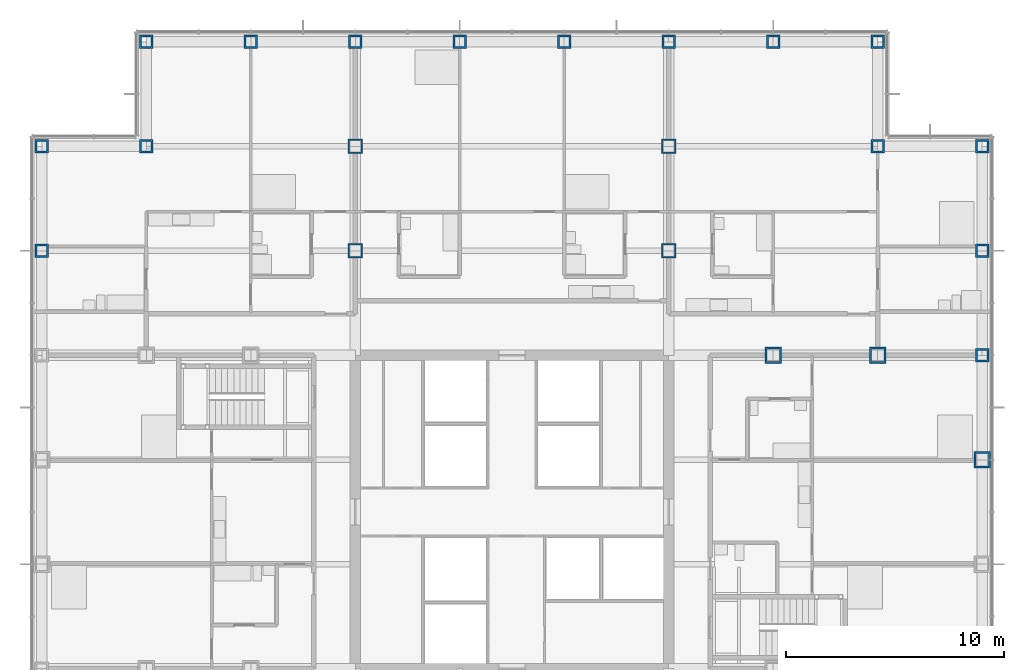
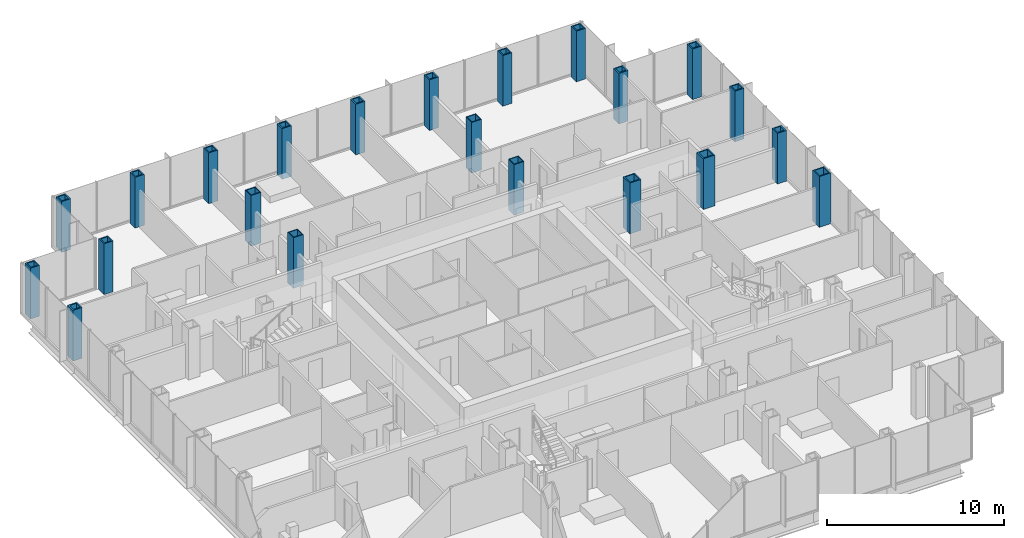
# One storey, part 5 of 21: 22 columns.
"""IFC4 building model written with IfcOpenShell, lengths in metres."""

from ifc_helpers import new_model, si_unit, direction, frame, origin, origin_2d, place, context, subcontext, project, spatial, hollow_rectangle, extrude, material, material_profile, profile_set, type_object, element, save


model = new_model("IFC4")

# Units and contexts
model_context = context("Model", 3, precision=1e-05, world=origin(), true_north=direction((0.0, 1.0)))
body_context = subcontext(model_context, "Body", "Model", "MODEL_VIEW")
ifc_project = project(units=[si_unit("LENGTHUNIT", "METRE"), si_unit("AREAUNIT", "SQUARE_METRE"), si_unit("VOLUMEUNIT", "CUBIC_METRE"), si_unit("PLANEANGLEUNIT", "RADIAN"), si_unit("MASSUNIT", "GRAM", prefix="KILO")], contexts=[model_context])

# Site, building, storey
site_placement = place(None, origin())
site = spatial("IfcSite", under=ifc_project, at=site_placement, CompositionType="ELEMENT")
building_placement = place(site_placement, origin())
building = spatial("IfcBuilding", under=site, at=building_placement, Name="Kvirike Care Tower", CompositionType="ELEMENT")
storey_placement = place(building_placement, frame((0.0, 0.0, 62.0)))
storey = spatial("IfcBuildingStorey", under=building, at=storey_placement, Name="L16", CompositionType="ELEMENT", Elevation=62.0)

# Columns
ifc_material_1 = material(Name="Steel S460", Category="steel")
ifc_material_profile_1 = material_profile(ifc_material_1, hollow_rectangle(XDim=0.60009765625, YDim=0.60009765625, WallThickness=0.080078125, at=origin_2d()), Name="BX 600x600x80")
ifc_profile_set_1 = profile_set([ifc_material_profile_1], Name="Steel S460")
column_type_1 = type_object("IfcColumnType", Name="COLUMN BX 600x600x80", PredefinedType="COLUMN", material=ifc_profile_set_1)
for number, where, z_axis, x_axis, name in (
    (1, (0.0, 48.0, 0.0), (0.0, 0.0, 1.0), (1.0, 0.0, 0.0), "Column L3 L16"),
    (2, (0.0, 52.800048828125, 0.0), (0.0, 0.0, 1.0), (0.0, 1.0, 0.0), "Column M3 L16"),
    (3, (4.800048828125, 52.800048828125, 0.0), (0.0, 0.0, 1.0), (0.0, 1.0, 0.0), "Column M4 L16"),
    (4, (4.800048828125, 57.60009765625, 0.0), (0.0, 0.0, 1.0), (0.0, 1.0, 0.0), "Column N4 L16"),
    (5, (9.60009765625, 57.60009765625, 0.0), (0.0, 0.0, 1.0), (0.0, 1.0, 0.0), "Column N5 L16"),
    (6, (14.39990234375, 57.60009765625, 0.0), (0.0, 0.0, 1.0), (0.0, 1.0, 0.0), "Column N6 L16"),
    (7, (19.199951171875, 57.60009765625, 0.0), (0.0, 0.0, 1.0), (0.0, 1.0, 0.0), "Column N7 L16"),
    (8, (24.0, 57.60009765625, 0.0), (0.0, 0.0, 1.0), (0.0, 1.0, 0.0), "Column N8 L16"),
    (9, (28.800048828125, 57.60009765625, 0.0), (0.0, 0.0, 1.0), (0.0, 1.0, 0.0), "Column N9 L16"),
    (10, (33.60009765625, 57.60009765625, 0.0), (0.0, 0.0, 1.0), (0.0, 1.0, 0.0), "Column N10 L16"),
    (11, (38.39990234375, 52.800048828125, 0.0), (0.0, 0.0, 1.0), (0.0, 1.0, 0.0), "Column M11 L16"),
    (12, (38.39990234375, 57.60009765625, 0.0), (0.0, 0.0, 1.0), (0.0, 1.0, 0.0), "Column N11 L16"),
    (13, (43.199951171875, 43.199951171875, 0.0), (0.0, 0.0, 1.0), (0.0, 1.0, 0.0), "Column K12 L16"),
    (14, (43.199951171875, 48.0, 0.0), (0.0, 0.0, 1.0), (1.0, 0.0, 0.0), "Column L12 L16"),
    (15, (43.199951171875, 52.800048828125, 0.0), (0.0, 0.0, 1.0), (0.0, 1.0, 0.0), "Column M12 L16"),
):
    element("IfcColumn", number, at=place(storey_placement, frame(where, z_axis=z_axis, x_axis=x_axis)), inside=storey, type_object=column_type_1, Name=name, PredefinedType="COLUMN", context=body_context, shape_type="SweptSolid", body=[
        extrude(hollow_rectangle(XDim=0.60009765625, YDim=0.60009765625, WallThickness=0.080078125, at=origin_2d()), origin(), (0.0, 0.0, 1.0), 3.5),
    ])
ifc_material_2 = material(Name="Steel S460", Category="steel")
ifc_material_profile_2 = material_profile(ifc_material_2, hollow_rectangle(XDim=0.64990234375, YDim=0.64990234375, WallThickness=0.050048828125, at=origin_2d()), Name="BX 650x650x50")
ifc_profile_set_2 = profile_set([ifc_material_profile_2], Name="Steel S460")
column_type_2 = type_object("IfcColumnType", Name="COLUMN BX 650x650x50", PredefinedType="COLUMN", material=ifc_profile_set_2)
for number, where, z_axis, x_axis, name in (
    (16, (14.39990234375, 48.0, 0.0), (0.0, 0.0, 1.0), (1.0, 0.0, 0.0), "Column L6 L16"),
    (17, (14.39990234375, 52.800048828125, 0.0), (0.0, 0.0, 1.0), (1.0, 0.0, 0.0), "Column M6 L16"),
    (18, (28.800048828125, 48.0, 0.0), (0.0, 0.0, 1.0), (1.0, 0.0, 0.0), "Column L9 L16"),
    (19, (28.800048828125, 52.800048828125, 0.0), (0.0, 0.0, 1.0), (1.0, 0.0, 0.0), "Column M9 L16"),
):
    element("IfcColumn", number, at=place(storey_placement, frame(where, z_axis=z_axis, x_axis=x_axis)), inside=storey, type_object=column_type_2, Name=name, PredefinedType="COLUMN", context=body_context, shape_type="SweptSolid", body=[
        extrude(hollow_rectangle(XDim=0.64990234375, YDim=0.64990234375, WallThickness=0.050048828125, at=origin_2d()), origin(), (0.0, 0.0, 1.0), 3.5),
    ])
ifc_material_3 = material(Name="Steel S460", Category="steel")
ifc_material_profile_3 = material_profile(ifc_material_3, hollow_rectangle(XDim=0.75, YDim=0.75, WallThickness=0.080078125, at=origin_2d()), Name="BX 750x750x80")
ifc_profile_set_3 = profile_set([ifc_material_profile_3], Name="Steel S460")
column_type_3 = type_object("IfcColumnType", Name="COLUMN BX 750x750x80", PredefinedType="COLUMN", material=ifc_profile_set_3)
for number, where, z_axis, x_axis, name in (
    (20, (33.60009765625, 43.199951171875, 0.0), (0.0, 0.0, 1.0), (0.0, 1.0, 0.0), "Column K10 L16"),
    (21, (38.39990234375, 43.199951171875, 0.0), (0.0, 0.0, 1.0), (0.0, 1.0, 0.0), "Column K11 L16"),
    (22, (43.199951171875, 38.39990234375, 0.0), (0.0, 0.0, 1.0), (1.0, 0.0, 0.0), "Column J12 L16"),
):
    element("IfcColumn", number, at=place(storey_placement, frame(where, z_axis=z_axis, x_axis=x_axis)), inside=storey, type_object=column_type_3, Name=name, PredefinedType="COLUMN", context=body_context, shape_type="SweptSolid", body=[
        extrude(hollow_rectangle(XDim=0.75, YDim=0.75, WallThickness=0.080078125, at=origin_2d()), origin(), (0.0, 0.0, 1.0), 3.5),
    ])

save(model, "model.ifc")
